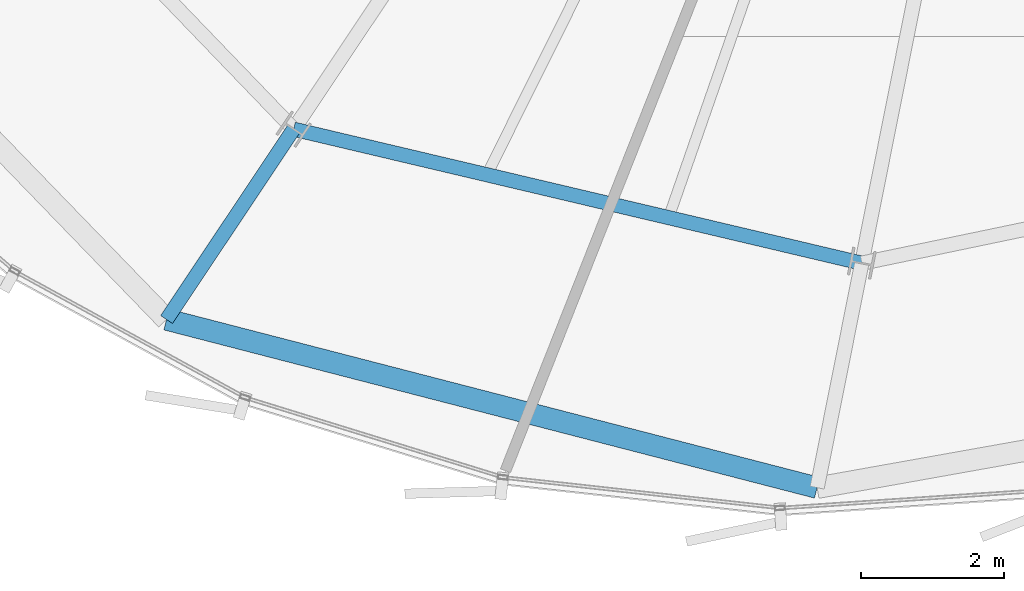
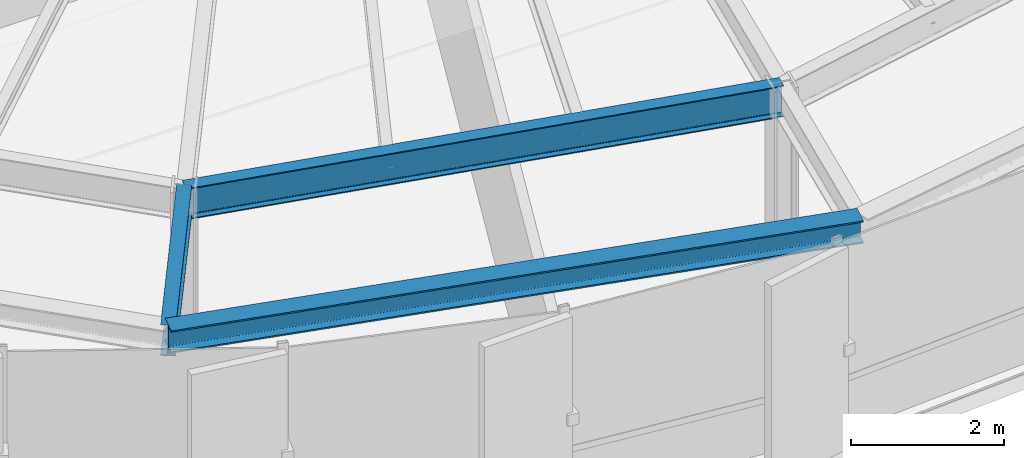
# One storey, part 3 of 34: 3 beams.
"""IFC4 building model written with IfcOpenShell, lengths in metres."""

from ifc_helpers import new_model, si_unit, direction, frame, origin, origin_2d, place, context, subcontext, project, spatial, i_section, extrude, source, transform, mapped, material, material_profile, profile_set, type_object, element, save


model = new_model("IFC4")

# Units and contexts
model_context = context("Model", 3, precision=1e-05, world=origin(), true_north=direction((0.0, 1.0)))
body_context = subcontext(model_context, "Body", "Model", "MODEL_VIEW")
ifc_project = project(units=[si_unit("LENGTHUNIT", "METRE"), si_unit("AREAUNIT", "SQUARE_METRE"), si_unit("VOLUMEUNIT", "CUBIC_METRE"), si_unit("PLANEANGLEUNIT", "RADIAN"), si_unit("MASSUNIT", "GRAM", prefix="KILO"), si_unit("THERMODYNAMICTEMPERATUREUNIT", "KELVIN")], contexts=[model_context])

# Site, building, storey
site_placement = place(None, origin())
site = spatial("IfcSite", under=ifc_project, at=site_placement, CompositionType="ELEMENT")
building_placement = place(site_placement, origin())
building = spatial("IfcBuilding", under=site, at=building_placement, Name="Kethvar Cultural Tower", CompositionType="ELEMENT")
storey_placement = place(building_placement, frame((0.0, 0.0, 207.89990234375)))
storey = spatial("IfcBuildingStorey", under=building, at=storey_placement, Name="L54", CompositionType="ELEMENT", Elevation=207.89990234375)

# Beams
ifc_material = material(Name="Steel S355J2", Category="steel")
ifc_material_profile_1 = material_profile(ifc_material, i_section(OverallWidth=0.199951171875, OverallDepth=0.5, WebThickness=0.01025390625, FlangeThickness=0.01611328125, FilletRadius=0.02099609375, at=origin_2d()), Name="Steel S355J2 — IPE500")
ifc_profile_set_1 = profile_set([ifc_material_profile_1], Name="Steel S355J2 — IPE500")
beam_type_1 = type_object("IfcBeamType", Name="BM-IPE500", PredefinedType="BEAM", material=ifc_profile_set_1)
shared_shape_1 = source(origin(), body_context, "Body", "SweptSolid", [
    extrude(i_section(OverallWidth=0.199951171875, OverallDepth=0.5, WebThickness=0.01025390625, FlangeThickness=0.01611328125, FilletRadius=0.02099609375, at=origin_2d()), origin(), (0.0, 0.0, 1.0), 3.199951171875),
])
beam_1_placement = place(storey_placement, frame((34.962646484375, 10.084228515625, 3.008056640625), z_axis=(-0.555580212716, -0.831462943996, 0.0), x_axis=(0.831462943996, -0.555580212716, 0.0)))
element("IfcBeam", 1, at=beam_1_placement, inside=storey, type_object=beam_type_1, Name="L54 Perimeter Cantilever Beam RC-11", PredefinedType="BEAM", context=body_context, shape_type="MappedRepresentation", body=[
    mapped(shared_shape_1, transform((0.0, 0.0, 0.0), scale=1.0)),
])
shared_shape_2 = source(origin(), body_context, "Body", "SweptSolid", [
    extrude(i_section(OverallWidth=0.199951171875, OverallDepth=0.5, WebThickness=0.01025390625, FlangeThickness=0.01611328125, FilletRadius=0.02099609375, at=origin_2d()), origin(), (0.0, 0.0, 1.0), 8.158935546875),
])
beam_2_placement = place(storey_placement, frame((34.962646484375, 10.084228515625, 3.008056640625), z_axis=(0.973284754953, -0.229601362748, 0.0), x_axis=(0.229601362748, 0.973284754953, 0.0)))
element("IfcBeam", 2, at=beam_2_placement, inside=storey, type_object=beam_type_1, Name="L54 Column Ring Tie Beam CR-11", PredefinedType="BEAM", context=body_context, shape_type="MappedRepresentation", body=[
    mapped(shared_shape_2, transform((0.0, 0.0, 0.0), scale=1.0)),
])
ifc_material_profile_2 = material_profile(ifc_material, i_section(OverallWidth=0.300048828125, OverallDepth=0.360107421875, WebThickness=0.012451171875, FlangeThickness=0.0224609375, FilletRadius=0.027099609375, at=origin_2d()), Name="Steel S355J2 — HEB360")
ifc_profile_set_2 = profile_set([ifc_material_profile_2], Name="Steel S355J2 — HEB360")
beam_type_2 = type_object("IfcBeamType", Name="BM-SP360", PredefinedType="SPANDREL", material=ifc_profile_set_2)
shared_shape_3 = source(origin(), body_context, "Body", "SweptSolid", [
    extrude(i_section(OverallWidth=0.300048828125, OverallDepth=0.360107421875, WebThickness=0.012451171875, FlangeThickness=0.0224609375, FilletRadius=0.027099609375, at=origin_2d()), origin(), (0.0, 0.0, 1.0), 9.3935546875),
])
beam_3_placement = place(storey_placement, frame((33.184814453125, 7.423583984375, 3.078125), z_axis=(0.968171347754, -0.250288316525, 0.0), x_axis=(0.250288316525, 0.968171347754, 0.0)))
element("IfcBeam", 3, at=beam_3_placement, inside=storey, type_object=beam_type_2, Name="L54 Perimeter Spandrel Beam SP-11", PredefinedType="SPANDREL", context=body_context, shape_type="MappedRepresentation", body=[
    mapped(shared_shape_3, transform((0.0, 0.0, 0.0), scale=1.0)),
])

save(model, "model.ifc")
